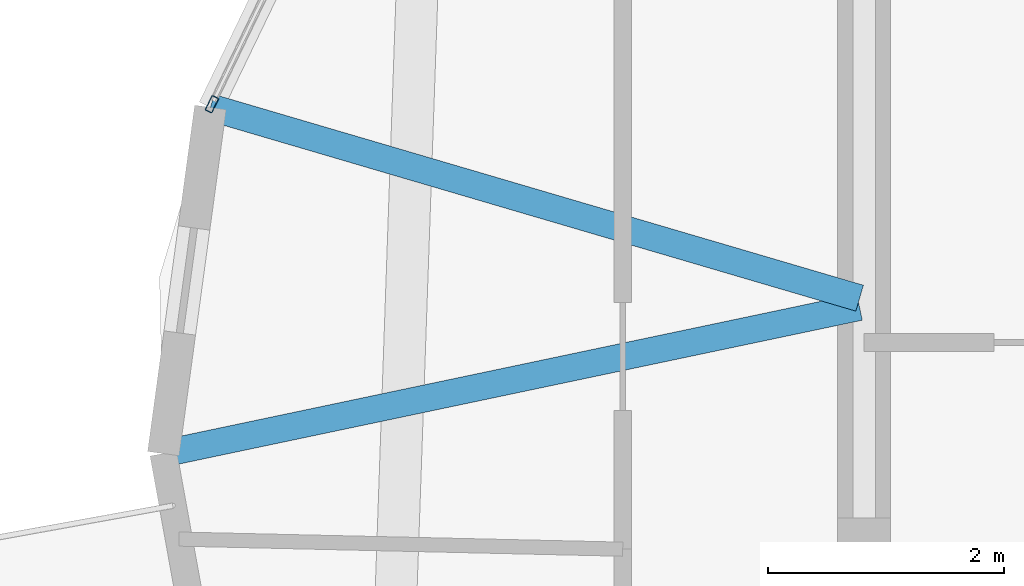
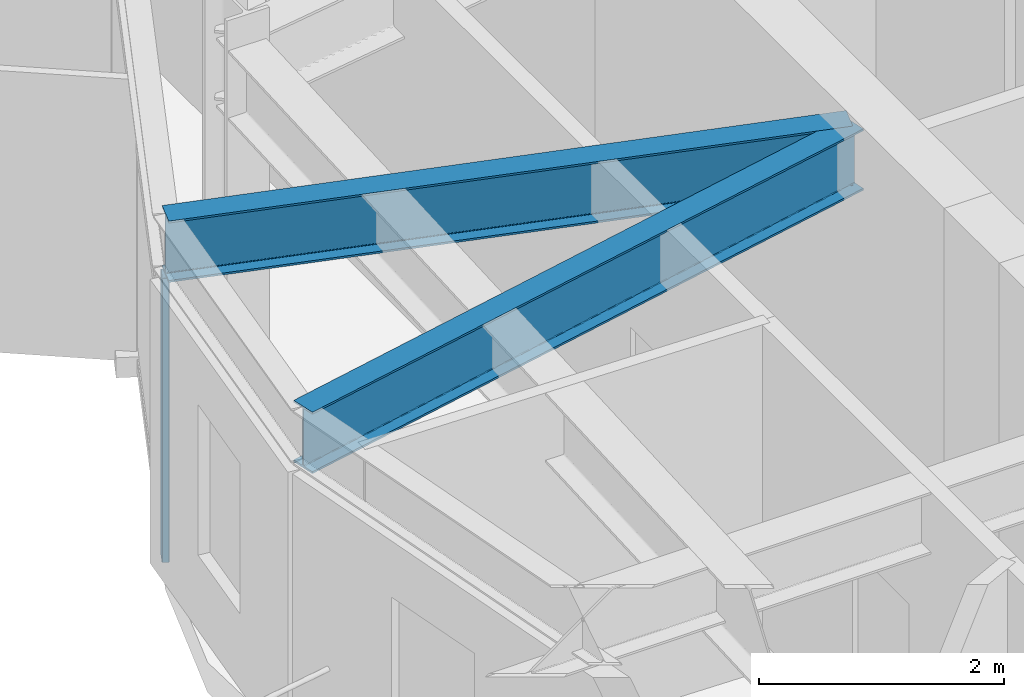
# One storey, part 7 of 26: 2 beams, 1 member, 1 element without a shape of its own.
"""IFC4 building model written with IfcOpenShell, lengths in metres."""

from ifc_helpers import new_model, si_unit, direction, frame, origin, origin_2d, place, context, subcontext, project, spatial, hollow_rectangle, i_section, extrude, material, layer, layer_set, material_profile, profile_set, type_object, element, aggregate, save


model = new_model("IFC4")

# Units and contexts
model_context = context("Model", 3, precision=1e-05, world=origin(), true_north=direction((0.0, 1.0)))
body_context = subcontext(model_context, "Body", "Model", "MODEL_VIEW")
ifc_project = project(units=[si_unit("LENGTHUNIT", "METRE"), si_unit("AREAUNIT", "SQUARE_METRE"), si_unit("VOLUMEUNIT", "CUBIC_METRE"), si_unit("PLANEANGLEUNIT", "RADIAN"), si_unit("MASSUNIT", "GRAM", prefix="KILO")], contexts=[model_context])

# Site, building, storey
site_placement = place(None, origin())
site = spatial("IfcSite", under=ifc_project, at=site_placement, CompositionType="ELEMENT")
building_placement = place(site_placement, origin())
building = spatial("IfcBuilding", under=site, at=building_placement, Name="Soratama Intermodal Tower", CompositionType="ELEMENT")
storey_placement = place(building_placement, frame((0.0, 0.0, 268.75)))
storey = spatial("IfcBuildingStorey", under=building, at=storey_placement, Name="L68", CompositionType="ELEMENT", Elevation=268.75)

# Beams
ifc_material_1 = material(Name="Structural steel ASTM A992 Grade 50", Category="steel")
ifc_material_profile_1 = material_profile(ifc_material_1, i_section(OverallWidth=0.22900390625, OverallDepth=0.612060546875, WebThickness=0.011962890625, FlangeThickness=0.01953125, FilletRadius=0.012939453125, at=origin_2d()), Name="W24X84")
ifc_profile_set_1 = profile_set([ifc_material_profile_1], Name="Structural steel ASTM A992 Grade 50")
beam_type = type_object("IfcBeamType", Name="BM-TIE-W24X84", PredefinedType="BEAM", material=ifc_profile_set_1)
beam_1_placement = place(storey_placement, frame((32.56201171875, 27.31689453125, 3.14404296875), z_axis=(-0.959428398297, 0.281952387011, 0.0), x_axis=(-0.281952387011, -0.959428398297, 0.0)))
element("IfcBeam", 1, at=beam_1_placement, inside=storey, type_object=beam_type, Name="BM-L68-TIE1-03", PredefinedType="BEAM", context=body_context, shape_type="SweptSolid", body=[
    extrude(i_section(OverallWidth=0.22900390625, OverallDepth=0.612060546875, WebThickness=0.011962890625, FlangeThickness=0.01953125, FilletRadius=0.012939453125, at=origin_2d()), origin(), (0.0, 0.0, 1.0), 5.74609375),
])
beam_2_placement = place(storey_placement, frame((32.56103515625, 27.241943359375, 3.14404296875), z_axis=(-0.978542495762, -0.206045101829, 0.0), x_axis=(0.206045101829, -0.978542495762, 0.0)))
element("IfcBeam", 2, at=beam_2_placement, inside=storey, type_object=beam_type, Name="BM-L68-TIE0-04", PredefinedType="BEAM", context=body_context, shape_type="SweptSolid", body=[
    extrude(i_section(OverallWidth=0.22900390625, OverallDepth=0.612060546875, WebThickness=0.011962890625, FlangeThickness=0.01953125, FilletRadius=0.012939453125, at=origin_2d()), origin(), (0.0, 0.0, 1.0), 6.041748046875),
])

# Curtain wall, member
ifc_material_2 = material(Name="Double-glazed aluminium curtain wall", Category="aluminium")
ifc_layer = layer(ifc_material_2, 0.159912109375)
ifc_layer_set = layer_set([ifc_layer], Name="Double-glazed aluminium curtain wall")
curtain_wall_type = type_object("IfcCurtainWallType", Name="CW-SYS-5", PredefinedType="NOTDEFINED", material=ifc_layer_set)
curtain_wall_placement = place(storey_placement, origin())
curtain_wall = element("IfcCurtainWall", 3, at=curtain_wall_placement, inside=storey, type_object=curtain_wall_type, Name="L68 Faceted Curtain Wall F03", PredefinedType="NOTDEFINED")
ifc_material_3 = material(Name="Anodised aluminium AA 6063-T6", Category="aluminium")
ifc_material_profile_2 = material_profile(ifc_material_3, hollow_rectangle(XDim=0.06494140625, YDim=0.139892578125, WallThickness=0.0048828125, InnerFilletRadius=0.0048828125, OuterFilletRadius=0.010009765625, at=origin_2d()), Name="CWM140X65X5")
ifc_profile_set_2 = profile_set([ifc_material_profile_2], Name="Anodised aluminium AA 6063-T6")
member_type = type_object("IfcMemberType", Name="MT-CWM-5", PredefinedType="MULLION", material=ifc_profile_set_2)
member_placement = place(storey_placement, frame((27.0615234375, 28.9638671875, 0.0), z_axis=(0.0, 0.0, 1.0), x_axis=(0.900772297575, -0.434291685301, 0.0)))
member = element("IfcMember", 4, at=member_placement, type_object=member_type, Name="CW-5 mullion 2", PredefinedType="MULLION", context=body_context, shape_type="SweptSolid", body=[
    extrude(hollow_rectangle(XDim=0.06494140625, YDim=0.139892578125, WallThickness=0.0048828125, InnerFilletRadius=0.0048828125, OuterFilletRadius=0.010009765625, at=origin_2d()), origin(), (0.0, 0.0, 1.0), 2.8291015625),
])
aggregate(curtain_wall, [member])

save(model, "model.ifc")
